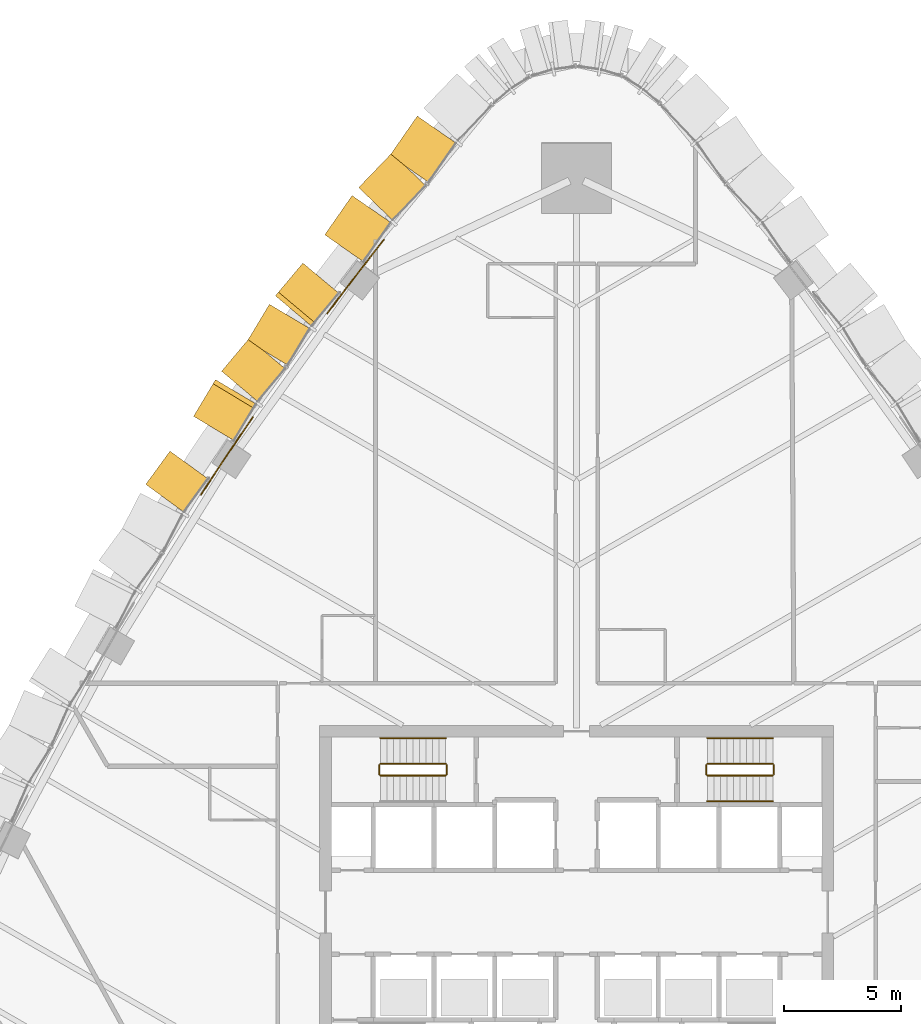
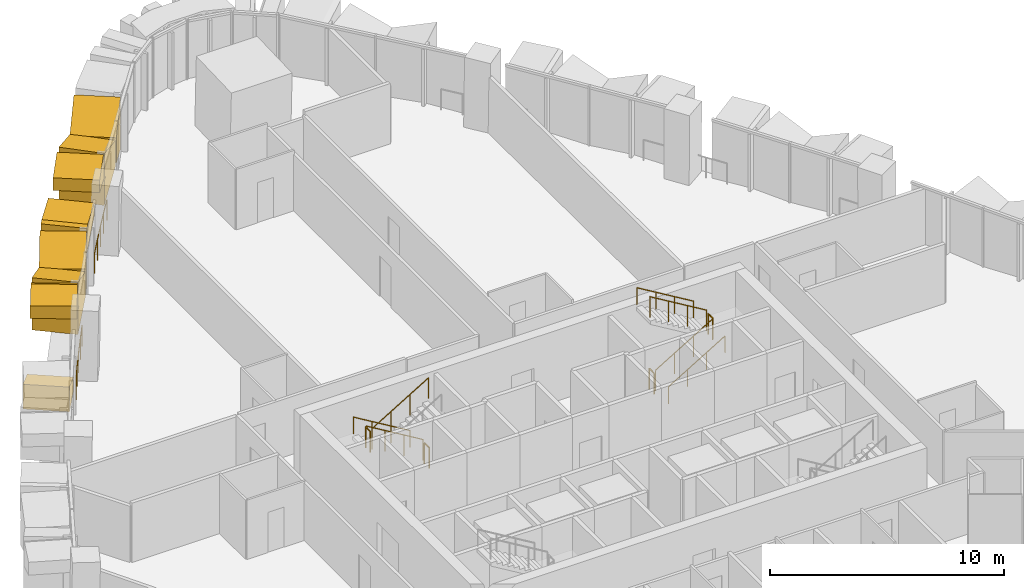
# One storey, part 24 of 27: 13 railings, 8 coverings.
"""IFC4 building model written with IfcOpenShell, lengths in metres."""

from ifc_helpers import new_model, si_unit, direction, frame, origin, origin_2d, place, context, subcontext, project, spatial, polyline, circle, outline, extrude, material, layer, layer_set, type_object, element, save


model = new_model("IFC4")

# Units and contexts
model_context = context("Model", 3, precision=1e-05, world=origin(), true_north=direction((0.0, 1.0)))
body_context = subcontext(model_context, "Body", "Model", "MODEL_VIEW")
ifc_project = project(units=[si_unit("LENGTHUNIT", "METRE"), si_unit("AREAUNIT", "SQUARE_METRE"), si_unit("VOLUMEUNIT", "CUBIC_METRE"), si_unit("PLANEANGLEUNIT", "RADIAN"), si_unit("MASSUNIT", "GRAM", prefix="KILO")], contexts=[model_context])

# Site, building, storey
site_placement = place(None, origin())
site = spatial("IfcSite", under=ifc_project, at=site_placement, CompositionType="ELEMENT")
building_placement = place(site_placement, origin())
building = spatial("IfcBuilding", under=site, at=building_placement, Name="Sierra Prisma Convention Tower", CompositionType="ELEMENT")
storey_placement = place(building_placement, frame((0.0, 0.0, 48.0)))
storey = spatial("IfcBuildingStorey", under=building, at=storey_placement, Name="L07", CompositionType="ELEMENT", Elevation=48.0)

# Coverings
ifc_material_1 = material(Name="Aluminium 6063-T6 bronze anodised", Category="aluminium")
ifc_layer = layer(ifc_material_1, 2.0)
ifc_layer_set = layer_set([ifc_layer], Name="Bronze crystal chevron frame")
covering_type = type_object("IfcCoveringType", Name="Bronze crystal chevron frame", PredefinedType="CLADDING", material=ifc_layer_set)
covering_1_placement = place(storey_placement, frame((-6.817138671875, 34.080810546875, 1.401611328125), z_axis=(-0.820407737546, 0.57177892946, 0.0), x_axis=(0.0, 0.0, -1.0)))
element("IfcCovering", 1, at=covering_1_placement, inside=storey, type_object=covering_type, Name="CW-2 chevron frame NW1.1.2", PredefinedType="CLADDING", context=body_context, shape_type="SweptSolid", body=[
    extrude(outline(polyline([(0.0, 0.0), (1.2685546875, 0.0), (0.56640625, 2.0473840822944687), (-0.7431640625, 2.0473840822944687), (-1.4453125, 0.0), (-0.1767578125, 0.0), (-0.08837890625, 0.25777040383515554), (0.0, 0.0)])), origin(), (0.0, 0.0, -1.0), 2.0),
])
covering_2_placement = place(storey_placement, frame((-7.908935546875, 32.497314453125, 0.835205078125), z_axis=(-0.720921008165, 0.693017243643, 0.0), x_axis=(-0.655530182444, -0.681924561539, -0.324436545837)))
element("IfcCovering", 2, at=covering_2_placement, inside=storey, type_object=covering_type, Name="CW-2 chevron frame NW1.2.1", PredefinedType="CLADDING", context=body_context, shape_type="SweptSolid", body=[
    extrude(outline(polyline([(0.0, 0.0), (2.1642088306916865, 0.0), (1.7526433296735842, 1.1999353455707271), (1.4802841538213354, 1.1999518757388947), (1.6952966355363426, 1.3671318794801204), (1.2837311345182403, 2.567067225050848), (-0.4248724687184568, 1.2387323313397578), (0.0, 0.0)])), origin(), (0.0, 0.0, -1.0), 2.0),
])
covering_3_placement = place(storey_placement, frame((-9.609130859375, 30.6787109375, 1.623046875), z_axis=(-0.820459787294, 0.571704228327, 0.000112902211), x_axis=(-0.54075211763, -0.776104099596, 0.324421907197)))
element("IfcCovering", 3, at=covering_3_placement, inside=storey, type_object=covering_type, Name="CW-2 chevron frame NW1.2.2", PredefinedType="CLADDING", context=body_context, shape_type="SweptSolid", body=[
    extrude(outline(polyline([(0.0, 0.0), (2.164306460506728, 1.1102230246251565e-16), (2.376733109701625, 0.6193694487880473), (0.6841046732131888, 1.1998943743424728), (0.41154693110241736, 1.1999417061531295), (0.0, 0.0)])), origin(), (0.0, 0.0, -1.0), 2.0),
])
covering_4_placement = place(storey_placement, frame((-11.716552734375, 27.788818359375, 2.31494140625), z_axis=(-0.766137573746, 0.642676603628, -3.5272626e-05), x_axis=(-0.600514167261, -0.715895099562, -0.35619789632)))
element("IfcCovering", 4, at=covering_4_placement, inside=storey, type_object=covering_type, Name="CW-2 chevron frame NW2.1.1", PredefinedType="CLADDING", context=body_context, shape_type="SweptSolid", body=[
    extrude(outline(polyline([(0.0, 0.0), (1.95752313933938, 0.0), (1.500101036155476, 1.19995103535713), (1.2808673906491135, 1.1999878918477287), (-0.23688551503288097, 0.6214195095651754), (0.0, 0.0)])), origin(), (0.0, 0.0, -1.0), 2.0),
])
covering_5_placement = place(storey_placement, frame((-13.149658203125, 26.0263671875, 1.411865234375), z_axis=(-0.857269451556, 0.514868029138, 0.0), x_axis=(0.0, 0.0, -1.0)))
element("IfcCovering", 5, at=covering_5_placement, inside=storey, type_object=covering_type, Name="CW-2 chevron frame NW2.1.2", PredefinedType="CLADDING", context=body_context, shape_type="SweptSolid", body=[
    extrude(outline(polyline([(0.0, 0.0), (1.2841796875, 0.0), (0.5869140625, 1.82891367340808), (-0.7431640625, 1.82891367340808), (-1.4404296875, 0.0), (-0.15625, 0.0), (-0.078125, 0.20478508892982397), (0.0, 0.0)])), origin(), (0.0, 0.0, -1.0), 2.0),
])
covering_6_placement = place(storey_placement, frame((-14.019287109375, 24.559814453125, 0.824951171875), z_axis=(-0.766137574222, 0.642676604028, 0.0), x_axis=(-0.600523793004, -0.715887024906, -0.356197896691)))
element("IfcCovering", 6, at=covering_6_placement, inside=storey, type_object=covering_type, Name="CW-2 chevron frame NW2.2.1", PredefinedType="CLADDING", context=body_context, shape_type="SweptSolid", body=[
    extrude(outline(polyline([(0.0, 0.0), (1.95752313945926, 0.0), (1.500101035798029, 1.1999510360301087), (1.2808673911728, 1.1999878901740018), (1.4444451144400086, 1.3459526829995516), (0.9870230107787774, 2.5459037190296607), (-0.47377103056014963, 1.2428390198273827), (0.0, 0.0)])), origin(), (0.0, 0.0, -1.0), 2.0),
])
covering_7_placement = place(storey_placement, frame((-15.452392578125, 22.79736328125, 1.61767578125), z_axis=(-0.857269451416, 0.514868029054, -1.8098521e-05), x_axis=(-0.48109641184, -0.80102625617, 0.356234725204)))
element("IfcCovering", 7, at=covering_7_placement, inside=storey, type_object=covering_type, Name="CW-2 chevron frame NW2.2.2", PredefinedType="CLADDING", context=body_context, shape_type="SweptSolid", body=[
    extrude(outline(polyline([(0.0, 0.0), (1.9573207648370037, 0.0), (2.194230772516414, 0.6214101727259942), (0.6766507067230783, 1.1999811734044223), (0.45746939808872966, 1.1999330060714866), (0.0, 0.0)])), origin(), (0.0, 0.0, -1.0), 2.0),
])
covering_8_placement = place(storey_placement, frame((-18.331298828125, 18.4677734375, 0.0), z_axis=(-0.807848513166, 0.589390175855, -1.9516762e-05), x_axis=(-0.548223571637, -0.751411287325, 0.367194761377)))
element("IfcCovering", 8, at=covering_8_placement, inside=storey, type_object=covering_type, Name="CW-2 chevron frame NW3.1.1", PredefinedType="CLADDING", context=body_context, shape_type="SweptSolid", body=[
    extrude(outline(polyline([(0.0, 0.0), (0.202123664476984, -1.3877787807814457e-17), (0.6759088973566709, 1.2001492810219527), (-1.217835409052734, 1.1996893605398902), (-1.4633789762916105, 0.5777009252098751), (0.0, 0.0)])), origin(), (0.0, 0.0, -1.0), 2.0),
])

# Railings
ifc_material_2 = material(Name="Stainless steel", Category="steel")
railing_type_1 = type_object("IfcRailingType", Name="Exit stair handrail", PredefinedType="HANDRAIL", material=ifc_material_2)
railing_1_placement = place(storey_placement, frame((-5.60009765625, 7.449951171875, 0.168212890625)))
element("IfcRailing", 9, at=railing_1_placement, inside=storey, type_object=railing_type_1, Name="L07 S3 stair handrail 1", PredefinedType="HANDRAIL", context=body_context, shape_type="SweptSolid", body=[
    extrude(circle(Radius=0.02392578125, at=origin_2d()), frame((0.0, 0.0, 0.8759765625), z_axis=(-0.857222391501, 0.0, 0.514946377315), x_axis=(0.0, -1.0, 0.0)), (0.0, 0.0, 1.0), 3.26611328125),
    extrude(circle(Radius=0.02099609375, at=origin_2d()), origin(), (0.0, 0.0, 1.0), 0.851806640625),
    extrude(circle(Radius=0.02099609375, at=origin_2d()), frame((-0.933349609375, 0.0, 0.560546875)), (0.0, 0.0, 1.0), 0.851806640625),
    extrude(circle(Radius=0.02099609375, at=origin_2d()), frame((-1.866455078125, 0.0, 1.121337890625)), (0.0, 0.0, 1.0), 0.851806640625),
    extrude(circle(Radius=0.02099609375, at=origin_2d()), frame((-2.7998046875, 0.0, 1.681884765625)), (0.0, 0.0, 1.0), 0.851806640625),
])
railing_2_placement = place(storey_placement, frame((5.60009765625, 4.75, 0.168212890625)))
element("IfcRailing", 10, at=railing_2_placement, inside=storey, type_object=railing_type_1, Name="L07 S4 stair handrail 1", PredefinedType="HANDRAIL", context=body_context, shape_type="SweptSolid", body=[
    extrude(circle(Radius=0.02392578125, at=origin_2d()), frame((0.0, 0.0, 0.8759765625), z_axis=(0.857222391501, 0.0, 0.514946377315), x_axis=(0.0, 1.0, 0.0)), (0.0, 0.0, 1.0), 3.26611328125),
    extrude(circle(Radius=0.02099609375, at=origin_2d()), origin(), (0.0, 0.0, 1.0), 0.851806640625),
    extrude(circle(Radius=0.02099609375, at=origin_2d()), frame((0.933349609375, 0.0, 0.560546875)), (0.0, 0.0, 1.0), 0.851806640625),
    extrude(circle(Radius=0.02099609375, at=origin_2d()), frame((1.866455078125, 0.0, 1.121337890625)), (0.0, 0.0, 1.0), 0.851806640625),
    extrude(circle(Radius=0.02099609375, at=origin_2d()), frame((2.7998046875, 0.0, 1.681884765625)), (0.0, 0.0, 1.0), 0.851806640625),
])
railing_3_placement = place(storey_placement, frame((8.39990234375, 7.449951171875, 2.01806640625)))
element("IfcRailing", 11, at=railing_3_placement, inside=storey, type_object=railing_type_1, Name="L07 S4 stair handrail 2", PredefinedType="HANDRAIL", context=body_context, shape_type="SweptSolid", body=[
    extrude(circle(Radius=0.02392578125, at=origin_2d()), frame((0.0, 0.0, 0.8759765625), z_axis=(-0.857222391501, 0.0, 0.514946377315), x_axis=(0.0, -1.0, 0.0)), (0.0, 0.0, 1.0), 3.26611328125),
    extrude(circle(Radius=0.02099609375, at=origin_2d()), origin(), (0.0, 0.0, 1.0), 0.851806640625),
    extrude(circle(Radius=0.02099609375, at=origin_2d()), frame((-0.933349609375, 0.0, 0.560546875)), (0.0, 0.0, 1.0), 0.851806640625),
    extrude(circle(Radius=0.02099609375, at=origin_2d()), frame((-1.866455078125, 0.0, 1.121337890625)), (0.0, 0.0, 1.0), 0.851806640625),
    extrude(circle(Radius=0.02099609375, at=origin_2d()), frame((-2.7998046875, 0.0, 1.681884765625)), (0.0, 0.0, 1.0), 0.851806640625),
])
ifc_material_3 = material(Name="Bronze anodised aluminium", Category="aluminium")
railing_type_2 = type_object("IfcRailingType", Name="Facade guard 1100", PredefinedType="GUARDRAIL", material=ifc_material_3)
railing_4_placement = place(storey_placement, frame((-8.2451171875, 28.79052734375, 0.0)))
element("IfcRailing", 12, at=railing_4_placement, inside=storey, type_object=railing_type_2, Name="Facade guard", PredefinedType="GUARDRAIL", context=body_context, shape_type="SweptSolid", body=[
    extrude(circle(Radius=0.02392578125, at=origin_2d()), frame((0.0, 0.0, 1.076171875), z_axis=(-0.616639155625, -0.78724592838, 0.0), x_axis=(0.78724592838, -0.616639155625, 0.0)), (0.0, 0.0, 1.0), 0.99462890625),
    extrude(circle(Radius=0.02392578125, at=origin_2d()), frame((-0.61328125, -0.782958984375, 1.076171875), z_axis=(-0.613044399207, -0.790048457122, 0.0), x_axis=(0.790048457122, -0.613044399207, 0.0)), (0.0, 0.0, 1.0), 1.0),
    extrude(circle(Radius=0.02392578125, at=origin_2d()), frame((-1.226318359375, -1.572998046875, 1.076171875), z_axis=(-0.605406901155, -0.795916128769, 0.0), x_axis=(0.795916128769, -0.605406901155, 0.0)), (0.0, 0.0, 1.0), 0.994384765625),
    extrude(circle(Radius=0.02392578125, at=origin_2d()), frame((-1.828369140625, -2.364501953125, 1.076171875), z_axis=(-0.602536027779, -0.798091683473, 0.0), x_axis=(0.798091683473, -0.602536027779, 0.0)), (0.0, 0.0, 1.0), 1.0),
    extrude(circle(Radius=0.02099609375, at=origin_2d()), origin(), (0.0, 0.0, 1.0), 1.052001953125),
    extrude(circle(Radius=0.02099609375, at=origin_2d()), frame((-0.61328125, -0.782958984375, 0.0)), (0.0, 0.0, 1.0), 1.052001953125),
    extrude(circle(Radius=0.02099609375, at=origin_2d()), frame((-1.226318359375, -1.572998046875, 0.0)), (0.0, 0.0, 1.0), 1.052001953125),
    extrude(circle(Radius=0.02099609375, at=origin_2d()), frame((-1.828369140625, -2.364501953125, 0.0)), (0.0, 0.0, 1.0), 1.052001953125),
    extrude(circle(Radius=0.02099609375, at=origin_2d()), frame((-2.430908203125, -3.16259765625, 0.0)), (0.0, 0.0, 1.0), 1.052001953125),
])
railing_5_placement = place(storey_placement, frame((-13.854736328125, 21.1943359375, 0.0)))
element("IfcRailing", 13, at=railing_5_placement, inside=storey, type_object=railing_type_2, Name="Facade guard", PredefinedType="GUARDRAIL", context=body_context, shape_type="SweptSolid", body=[
    extrude(circle(Radius=0.02392578125, at=origin_2d()), frame((0.0, 0.0, 1.076171875), z_axis=(-0.565079850189, -0.825036219151, 0.0), x_axis=(0.825036219151, -0.565079850189, 0.0)), (0.0, 0.0, 1.0), 0.99462890625),
    extrude(circle(Radius=0.02392578125, at=origin_2d()), frame((-0.56201171875, -0.820556640625, 1.076171875), z_axis=(-0.558356981092, -0.829600796568, 0.0), x_axis=(0.829600796568, -0.558356981092, 0.0)), (0.0, 0.0, 1.0), 1.0),
    extrude(circle(Radius=0.02392578125, at=origin_2d()), frame((-1.120361328125, -1.650146484375, 1.076171875), z_axis=(-0.553339805567, -0.83295561681, 0.0), x_axis=(0.83295561681, -0.553339805567, 0.0)), (0.0, 0.0, 1.0), 0.994384765625),
    extrude(circle(Radius=0.02392578125, at=origin_2d()), frame((-1.670654296875, -2.478515625, 1.076171875), z_axis=(-0.547071763226, -0.837085709997, 0.0), x_axis=(0.837085709997, -0.547071763226, 0.0)), (0.0, 0.0, 1.0), 1.0),
    extrude(circle(Radius=0.02099609375, at=origin_2d()), origin(), (0.0, 0.0, 1.0), 1.052001953125),
    extrude(circle(Radius=0.02099609375, at=origin_2d()), frame((-0.56201171875, -0.820556640625, 0.0)), (0.0, 0.0, 1.0), 1.052001953125),
    extrude(circle(Radius=0.02099609375, at=origin_2d()), frame((-1.120361328125, -1.650146484375, 0.0)), (0.0, 0.0, 1.0), 1.052001953125),
    extrude(circle(Radius=0.02099609375, at=origin_2d()), frame((-1.670654296875, -2.478515625, 0.0)), (0.0, 0.0, 1.0), 1.052001953125),
    extrude(circle(Radius=0.02099609375, at=origin_2d()), frame((-2.2177734375, -3.315673828125, 0.0)), (0.0, 0.0, 1.0), 1.052001953125),
])
ifc_material_4 = material(Name="Stainless steel", Category="steel")
railing_type_3 = type_object("IfcRailingType", Name="Stair guard 1100", PredefinedType="GUARDRAIL", material=ifc_material_4)
railing_6_placement = place(storey_placement, frame((-5.60009765625, 6.35009765625, 0.168212890625)))
element("IfcRailing", 14, at=railing_6_placement, inside=storey, type_object=railing_type_3, Name="L07 S3 stair guard 1", PredefinedType="GUARDRAIL", context=body_context, shape_type="SweptSolid", body=[
    extrude(circle(Radius=0.02392578125, at=origin_2d()), frame((0.0, 0.0, 1.076171875), z_axis=(-0.857222391501, 0.0, 0.514946377315), x_axis=(0.0, -1.0, 0.0)), (0.0, 0.0, 1.0), 3.26611328125),
    extrude(circle(Radius=0.02099609375, at=origin_2d()), origin(), (0.0, 0.0, 1.0), 1.052001953125),
    extrude(circle(Radius=0.02099609375, at=origin_2d()), frame((-0.933349609375, 0.0, 0.560546875)), (0.0, 0.0, 1.0), 1.052001953125),
    extrude(circle(Radius=0.02099609375, at=origin_2d()), frame((-1.866455078125, 0.0, 1.121337890625)), (0.0, 0.0, 1.0), 1.052001953125),
    extrude(circle(Radius=0.02099609375, at=origin_2d()), frame((-2.7998046875, 0.0, 1.681884765625)), (0.0, 0.0, 1.0), 1.052001953125),
])
railing_7_placement = place(storey_placement, frame((-8.449951171875, 6.300048828125, 1.85009765625)))
element("IfcRailing", 15, at=railing_7_placement, inside=storey, type_object=railing_type_3, Name="L07 S3 stair guard 2", PredefinedType="GUARDRAIL", context=body_context, shape_type="SweptSolid", body=[
    extrude(circle(Radius=0.02392578125, at=origin_2d()), frame((0.0, 0.0, 1.076171875), z_axis=(0.0, -1.0, 0.0), x_axis=(1.0, 0.0, 0.0)), (0.0, 0.0, 1.0), 0.400146484375),
    extrude(circle(Radius=0.02099609375, at=origin_2d()), origin(), (0.0, 0.0, 1.0), 1.052001953125),
    extrude(circle(Radius=0.02099609375, at=origin_2d()), frame((0.0, -0.400146484375, 0.0)), (0.0, 0.0, 1.0), 1.052001953125),
])
railing_8_placement = place(storey_placement, frame((-8.39990234375, 5.85009765625, 2.01806640625)))
element("IfcRailing", 16, at=railing_8_placement, inside=storey, type_object=railing_type_3, Name="L07 S3 stair guard 3", PredefinedType="GUARDRAIL", context=body_context, shape_type="SweptSolid", body=[
    extrude(circle(Radius=0.02392578125, at=origin_2d()), frame((0.0, 0.0, 1.076171875), z_axis=(0.857222391501, 0.0, 0.514946377315), x_axis=(0.0, 1.0, 0.0)), (0.0, 0.0, 1.0), 3.26611328125),
    extrude(circle(Radius=0.02099609375, at=origin_2d()), origin(), (0.0, 0.0, 1.0), 1.052001953125),
    extrude(circle(Radius=0.02099609375, at=origin_2d()), frame((0.933349609375, 0.0, 0.560546875)), (0.0, 0.0, 1.0), 1.052001953125),
    extrude(circle(Radius=0.02099609375, at=origin_2d()), frame((1.866455078125, 0.0, 1.121337890625)), (0.0, 0.0, 1.0), 1.052001953125),
    extrude(circle(Radius=0.02099609375, at=origin_2d()), frame((2.7998046875, 0.0, 1.681884765625)), (0.0, 0.0, 1.0), 1.052001953125),
])
railing_9_placement = place(storey_placement, frame((-5.550048828125, 6.300048828125, 0.0)))
element("IfcRailing", 17, at=railing_9_placement, inside=storey, type_object=railing_type_3, Name="L07 S3 stair guard 4", PredefinedType="GUARDRAIL", context=body_context, shape_type="SweptSolid", body=[
    extrude(circle(Radius=0.02392578125, at=origin_2d()), frame((0.0, 0.0, 1.076171875), z_axis=(0.0, -1.0, 0.0), x_axis=(1.0, 0.0, 0.0)), (0.0, 0.0, 1.0), 0.400146484375),
    extrude(circle(Radius=0.02099609375, at=origin_2d()), origin(), (0.0, 0.0, 1.0), 1.052001953125),
    extrude(circle(Radius=0.02099609375, at=origin_2d()), frame((0.0, -0.400146484375, 0.0)), (0.0, 0.0, 1.0), 1.052001953125),
])
railing_10_placement = place(storey_placement, frame((5.60009765625, 5.85009765625, 0.168212890625)))
element("IfcRailing", 18, at=railing_10_placement, inside=storey, type_object=railing_type_3, Name="L07 S4 stair guard 1", PredefinedType="GUARDRAIL", context=body_context, shape_type="SweptSolid", body=[
    extrude(circle(Radius=0.02392578125, at=origin_2d()), frame((0.0, 0.0, 1.076171875), z_axis=(0.857222391501, 0.0, 0.514946377315), x_axis=(0.0, 1.0, 0.0)), (0.0, 0.0, 1.0), 3.26611328125),
    extrude(circle(Radius=0.02099609375, at=origin_2d()), origin(), (0.0, 0.0, 1.0), 1.052001953125),
    extrude(circle(Radius=0.02099609375, at=origin_2d()), frame((0.933349609375, 0.0, 0.560546875)), (0.0, 0.0, 1.0), 1.052001953125),
    extrude(circle(Radius=0.02099609375, at=origin_2d()), frame((1.866455078125, 0.0, 1.121337890625)), (0.0, 0.0, 1.0), 1.052001953125),
    extrude(circle(Radius=0.02099609375, at=origin_2d()), frame((2.7998046875, 0.0, 1.681884765625)), (0.0, 0.0, 1.0), 1.052001953125),
])
railing_11_placement = place(storey_placement, frame((8.449951171875, 5.89990234375, 1.85009765625)))
element("IfcRailing", 19, at=railing_11_placement, inside=storey, type_object=railing_type_3, Name="L07 S4 stair guard 2", PredefinedType="GUARDRAIL", context=body_context, shape_type="SweptSolid", body=[
    extrude(circle(Radius=0.02392578125, at=origin_2d()), frame((0.0, 0.0, 1.076171875), z_axis=(0.0, 1.0, 0.0), x_axis=(-1.0, 0.0, 0.0)), (0.0, 0.0, 1.0), 0.400146484375),
    extrude(circle(Radius=0.02099609375, at=origin_2d()), origin(), (0.0, 0.0, 1.0), 1.052001953125),
    extrude(circle(Radius=0.02099609375, at=origin_2d()), frame((0.0, 0.400146484375, 0.0)), (0.0, 0.0, 1.0), 1.052001953125),
])
railing_12_placement = place(storey_placement, frame((8.39990234375, 6.35009765625, 2.01806640625)))
element("IfcRailing", 20, at=railing_12_placement, inside=storey, type_object=railing_type_3, Name="L07 S4 stair guard 3", PredefinedType="GUARDRAIL", context=body_context, shape_type="SweptSolid", body=[
    extrude(circle(Radius=0.02392578125, at=origin_2d()), frame((0.0, 0.0, 1.076171875), z_axis=(-0.857222391501, 0.0, 0.514946377315), x_axis=(0.0, -1.0, 0.0)), (0.0, 0.0, 1.0), 3.26611328125),
    extrude(circle(Radius=0.02099609375, at=origin_2d()), origin(), (0.0, 0.0, 1.0), 1.052001953125),
    extrude(circle(Radius=0.02099609375, at=origin_2d()), frame((-0.933349609375, 0.0, 0.560546875)), (0.0, 0.0, 1.0), 1.052001953125),
    extrude(circle(Radius=0.02099609375, at=origin_2d()), frame((-1.866455078125, 0.0, 1.121337890625)), (0.0, 0.0, 1.0), 1.052001953125),
    extrude(circle(Radius=0.02099609375, at=origin_2d()), frame((-2.7998046875, 0.0, 1.681884765625)), (0.0, 0.0, 1.0), 1.052001953125),
])
railing_13_placement = place(storey_placement, frame((5.550048828125, 5.89990234375, 0.0)))
element("IfcRailing", 21, at=railing_13_placement, inside=storey, type_object=railing_type_3, Name="L07 S4 stair guard 4", PredefinedType="GUARDRAIL", context=body_context, shape_type="SweptSolid", body=[
    extrude(circle(Radius=0.02392578125, at=origin_2d()), frame((0.0, 0.0, 1.076171875), z_axis=(0.0, 1.0, 0.0), x_axis=(-1.0, 0.0, 0.0)), (0.0, 0.0, 1.0), 0.400146484375),
    extrude(circle(Radius=0.02099609375, at=origin_2d()), origin(), (0.0, 0.0, 1.0), 1.052001953125),
    extrude(circle(Radius=0.02099609375, at=origin_2d()), frame((0.0, 0.400146484375, 0.0)), (0.0, 0.0, 1.0), 1.052001953125),
])

save(model, "model.ifc")
